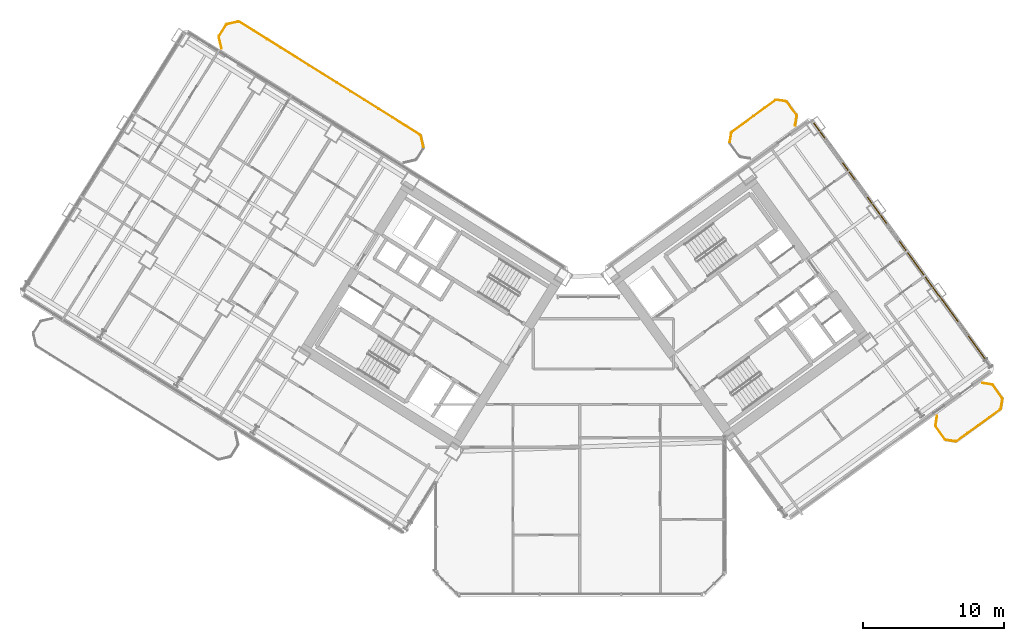
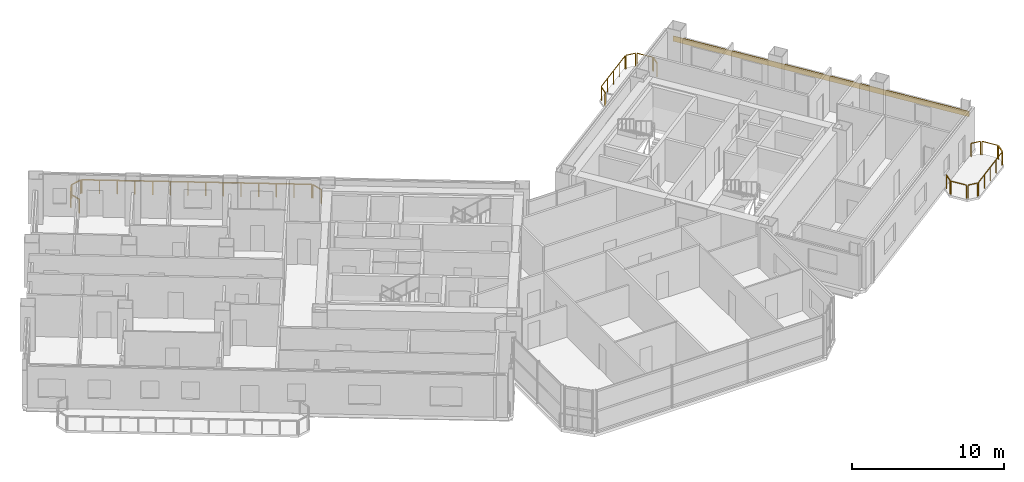
# One storey, part 28 of 28: 17 railings, 1 covering.
"""IFC4 building model written with IfcOpenShell, lengths in metres."""

from ifc_helpers import new_model, si_unit, direction, frame, origin, origin_2d, place, context, subcontext, project, spatial, rectangle, extrude, source, transform, mapped, material, layer, layer_set, type_object, element, save


model = new_model("IFC4")

# Units and contexts
model_context = context("Model", 3, precision=1e-05, world=origin(), true_north=direction((0.0, 1.0)))
body_context = subcontext(model_context, "Body", "Model", "MODEL_VIEW")
ifc_project = project(units=[si_unit("LENGTHUNIT", "METRE"), si_unit("AREAUNIT", "SQUARE_METRE"), si_unit("VOLUMEUNIT", "CUBIC_METRE"), si_unit("PLANEANGLEUNIT", "RADIAN"), si_unit("MASSUNIT", "GRAM", prefix="KILO")], contexts=[model_context])

# Site, building, storey
site_placement = place(None, origin())
site = spatial("IfcSite", under=ifc_project, at=site_placement, CompositionType="ELEMENT")
building_placement = place(site_placement, origin())
building = spatial("IfcBuilding", under=site, at=building_placement, Name="Tlacorven Tower", CompositionType="ELEMENT")
storey_placement = place(building_placement, frame((0.0, 0.0, 49.199951171875)))
storey = spatial("IfcBuildingStorey", under=building, at=storey_placement, Name="L12", CompositionType="ELEMENT", Elevation=49.199951171875)

# Railings
ifc_material_1 = material(Name="Aluminium and painted steel balustrade", Category="steel")
railing_type = type_object("IfcRailingType", Name="RL-BAL-1100", PredefinedType="BALUSTRADE", material=ifc_material_1)
shared_shape_1 = source(origin(), body_context, "Body", "SweptSolid", [
    extrude(rectangle(XDim=0.048095703125, YDim=0.048095703125, at=origin_2d()), frame((0.0, 0.0, 1.076171875), z_axis=(0.225058334816, -0.974345290916, 0.0), x_axis=(0.974345290916, 0.225058334816, 0.0)), (0.0, 0.0, 1.0), 0.80712890625),
    extrude(rectangle(XDim=0.0419921875, YDim=0.0419921875, at=origin_2d()), origin(), (0.0, 0.0, 1.0), 1.052001953125),
    extrude(rectangle(XDim=0.0419921875, YDim=0.0419921875, at=origin_2d()), frame((0.181640625, -0.786376953125, 0.0)), (0.0, 0.0, 1.0), 1.052001953125),
])
railing_1_placement = place(storey_placement, frame((30.6796875, 34.466064453125, 0.0)))
element("IfcRailing", 1, at=railing_1_placement, inside=storey, type_object=railing_type, Name="BAL-L12-W-IN Guard Railing 1", PredefinedType="BALUSTRADE", context=body_context, shape_type="MappedRepresentation", body=[
    mapped(shared_shape_1, transform((0.0, 0.0, 0.0), scale=1.0)),
])
shared_shape_2 = source(origin(), body_context, "Body", "SweptSolid", [
    extrude(rectangle(XDim=0.048095703125, YDim=0.048095703125, at=origin_2d()), frame((0.0, 0.0, 1.076171875), z_axis=(-0.225058334816, 0.974345290916, 0.0), x_axis=(-0.974345290916, -0.225058334816, 0.0)), (0.0, 0.0, 1.0), 0.80712890625),
    extrude(rectangle(XDim=0.0419921875, YDim=0.0419921875, at=origin_2d()), origin(), (0.0, 0.0, 1.0), 1.052001953125),
    extrude(rectangle(XDim=0.0419921875, YDim=0.0419921875, at=origin_2d()), frame((-0.181640625, 0.786376953125, 0.0)), (0.0, 0.0, 1.0), 1.052001953125),
])
railing_2_placement = place(storey_placement, frame((16.5361328125, 40.68115234375, 0.0)))
element("IfcRailing", 2, at=railing_2_placement, inside=storey, type_object=railing_type, Name="BAL-L12-W-IN Guard Railing 4", PredefinedType="BALUSTRADE", context=body_context, shape_type="MappedRepresentation", body=[
    mapped(shared_shape_2, transform((0.0, 0.0, 0.0), scale=1.0)),
])
shared_shape_3 = source(origin(), body_context, "Body", "SweptSolid", [
    extrude(rectangle(XDim=0.048095703125, YDim=0.048095703125, at=origin_2d()), frame((0.0, 0.0, 1.076171875), z_axis=(0.52987865805, 0.848073468364, 0.0), x_axis=(-0.848073468364, 0.52987865805, 0.0)), (0.0, 0.0, 1.0), 0.912353515625),
    extrude(rectangle(XDim=0.0419921875, YDim=0.0419921875, at=origin_2d()), origin(), (0.0, 0.0, 1.0), 1.052001953125),
    extrude(rectangle(XDim=0.0419921875, YDim=0.0419921875, at=origin_2d()), frame((0.4833984375, 0.773681640625, 0.0)), (0.0, 0.0, 1.0), 1.052001953125),
])
railing_3_placement = place(storey_placement, frame((16.369873046875, 41.55859375, 0.0)))
element("IfcRailing", 3, at=railing_3_placement, inside=storey, type_object=railing_type, Name="BAL-L12-W-IN Guard Railing 5", PredefinedType="BALUSTRADE", context=body_context, shape_type="MappedRepresentation", body=[
    mapped(shared_shape_3, transform((0.0, 0.0, 0.0), scale=1.0)),
])
shared_shape_4 = source(origin(), body_context, "Body", "SweptSolid", [
    extrude(rectangle(XDim=0.048095703125, YDim=0.048095703125, at=origin_2d()), frame((0.0, 0.0, 1.076171875), z_axis=(0.974411586182, 0.224771129628, 0.0), x_axis=(-0.224771129628, 0.974411586182, 0.0)), (0.0, 0.0, 1.0), 0.80712890625),
    extrude(rectangle(XDim=0.0419921875, YDim=0.0419921875, at=origin_2d()), origin(), (0.0, 0.0, 1.0), 1.052001953125),
    extrude(rectangle(XDim=0.0419921875, YDim=0.0419921875, at=origin_2d()), frame((0.786376953125, 0.181396484375, 0.0)), (0.0, 0.0, 1.0), 1.052001953125),
])
railing_4_placement = place(storey_placement, frame((16.928466796875, 42.385986328125, 0.0)))
element("IfcRailing", 4, at=railing_4_placement, inside=storey, type_object=railing_type, Name="BAL-L12-W-IN Guard Railing 6", PredefinedType="BALUSTRADE", context=body_context, shape_type="MappedRepresentation", body=[
    mapped(shared_shape_4, transform((0.0, 0.0, 0.0), scale=1.0)),
])
shared_shape_5 = source(origin(), body_context, "Body", "SweptSolid", [
    extrude(rectangle(XDim=0.048095703125, YDim=0.048095703125, at=origin_2d()), frame((0.0, 0.0, 1.076171875), z_axis=(0.848044572804, -0.529924902733, 0.0), x_axis=(0.529924902733, 0.848044572804, 0.0)), (0.0, 0.0, 1.0), 15.1171875),
    extrude(rectangle(XDim=0.0419921875, YDim=0.0419921875, at=origin_2d()), origin(), (0.0, 0.0, 1.0), 1.052001953125),
    extrude(rectangle(XDim=0.0419921875, YDim=0.0419921875, at=origin_2d()), frame((0.986083984375, -0.6162109375, 0.0)), (0.0, 0.0, 1.0), 1.052001953125),
    extrude(rectangle(XDim=0.0419921875, YDim=0.0419921875, at=origin_2d()), frame((1.972412109375, -1.232421875, 0.0)), (0.0, 0.0, 1.0), 1.052001953125),
    extrude(rectangle(XDim=0.0419921875, YDim=0.0419921875, at=origin_2d()), frame((2.95849609375, -1.8486328125, 0.0)), (0.0, 0.0, 1.0), 1.052001953125),
    extrude(rectangle(XDim=0.0419921875, YDim=0.0419921875, at=origin_2d()), frame((3.944580078125, -2.46484375, 0.0)), (0.0, 0.0, 1.0), 1.052001953125),
    extrude(rectangle(XDim=0.0419921875, YDim=0.0419921875, at=origin_2d()), frame((4.930908203125, -3.0810546875, 0.0)), (0.0, 0.0, 1.0), 1.052001953125),
    extrude(rectangle(XDim=0.0419921875, YDim=0.0419921875, at=origin_2d()), frame((5.9169921875, -3.697265625, 0.0)), (0.0, 0.0, 1.0), 1.052001953125),
    extrude(rectangle(XDim=0.0419921875, YDim=0.0419921875, at=origin_2d()), frame((6.903076171875, -4.313720703125, 0.0)), (0.0, 0.0, 1.0), 1.052001953125),
    extrude(rectangle(XDim=0.0419921875, YDim=0.0419921875, at=origin_2d()), frame((7.88916015625, -4.929931640625, 0.0)), (0.0, 0.0, 1.0), 1.052001953125),
    extrude(rectangle(XDim=0.0419921875, YDim=0.0419921875, at=origin_2d()), frame((8.87548828125, -5.546142578125, 0.0)), (0.0, 0.0, 1.0), 1.052001953125),
    extrude(rectangle(XDim=0.0419921875, YDim=0.0419921875, at=origin_2d()), frame((9.861572265625, -6.162353515625, 0.0)), (0.0, 0.0, 1.0), 1.052001953125),
    extrude(rectangle(XDim=0.0419921875, YDim=0.0419921875, at=origin_2d()), frame((10.84765625, -6.778564453125, 0.0)), (0.0, 0.0, 1.0), 1.052001953125),
    extrude(rectangle(XDim=0.0419921875, YDim=0.0419921875, at=origin_2d()), frame((11.833984375, -7.394775390625, 0.0)), (0.0, 0.0, 1.0), 1.052001953125),
    extrude(rectangle(XDim=0.0419921875, YDim=0.0419921875, at=origin_2d()), frame((12.820068359375, -8.010986328125, 0.0)), (0.0, 0.0, 1.0), 1.052001953125),
])
railing_5_placement = place(storey_placement, frame((17.805908203125, 42.55224609375, 0.0)))
element("IfcRailing", 5, at=railing_5_placement, inside=storey, type_object=railing_type, Name="BAL-L12-W-IN Guard Railing 7", PredefinedType="BALUSTRADE", context=body_context, shape_type="MappedRepresentation", body=[
    mapped(shared_shape_5, transform((0.0, 0.0, 0.0), scale=1.0)),
])
shared_shape_6 = source(origin(), body_context, "Body", "SweptSolid", [
    extrude(rectangle(XDim=0.048095703125, YDim=0.048095703125, at=origin_2d()), frame((0.0, 0.0, 1.076171875), z_axis=(-0.987661653326, 0.156602868908, 0.0), x_axis=(-0.156602868908, -0.987661653326, 0.0)), (0.0, 0.0, 1.0), 0.665771484375),
    extrude(rectangle(XDim=0.0419921875, YDim=0.0419921875, at=origin_2d()), origin(), (0.0, 0.0, 1.0), 1.052001953125),
    extrude(rectangle(XDim=0.0419921875, YDim=0.0419921875, at=origin_2d()), frame((-0.657470703125, 0.104248046875, 0.0)), (0.0, 0.0, 1.0), 1.052001953125),
])
railing_6_placement = place(storey_placement, frame((68.59521484375, 12.7919921875, 0.0)))
element("IfcRailing", 6, at=railing_6_placement, inside=storey, type_object=railing_type, Name="BAL-L12-E-OUT Guard Railing 1", PredefinedType="BALUSTRADE", context=body_context, shape_type="MappedRepresentation", body=[
    mapped(shared_shape_6, transform((0.0, 0.0, 0.0), scale=1.0)),
])
shared_shape_7 = source(origin(), body_context, "Body", "SweptSolid", [
    extrude(rectangle(XDim=0.048095703125, YDim=0.048095703125, at=origin_2d()), frame((0.0, 0.0, 1.076171875), z_axis=(-0.58788449985, 0.808944877501, 0.0), x_axis=(-0.808944877501, -0.58788449985, 0.0)), (0.0, 0.0, 1.0), 1.112060546875),
    extrude(rectangle(XDim=0.0419921875, YDim=0.0419921875, at=origin_2d()), origin(), (0.0, 0.0, 1.0), 1.052001953125),
    extrude(rectangle(XDim=0.0419921875, YDim=0.0419921875, at=origin_2d()), frame((-0.65380859375, 0.899658203125, 0.0)), (0.0, 0.0, 1.0), 1.052001953125),
])
railing_7_placement = place(storey_placement, frame((67.85888671875, 12.944580078125, 0.0)))
element("IfcRailing", 7, at=railing_7_placement, inside=storey, type_object=railing_type, Name="BAL-L12-E-OUT Guard Railing 2", PredefinedType="BALUSTRADE", context=body_context, shape_type="MappedRepresentation", body=[
    mapped(shared_shape_7, transform((0.0, 0.0, 0.0), scale=1.0)),
])
shared_shape_8 = source(origin(), body_context, "Body", "SweptSolid", [
    extrude(rectangle(XDim=0.048095703125, YDim=0.048095703125, at=origin_2d()), frame((0.0, 0.0, 1.076171875), z_axis=(0.156602868908, 0.987661653326, 0.0), x_axis=(-0.987661653326, 0.156602868908, 0.0)), (0.0, 0.0, 1.0), 0.665771484375),
    extrude(rectangle(XDim=0.0419921875, YDim=0.0419921875, at=origin_2d()), origin(), (0.0, 0.0, 1.0), 1.052001953125),
    extrude(rectangle(XDim=0.0419921875, YDim=0.0419921875, at=origin_2d()), frame((0.104248046875, 0.657470703125, 0.0)), (0.0, 0.0, 1.0), 1.052001953125),
])
railing_8_placement = place(storey_placement, frame((67.18359375, 13.93408203125, 0.0)))
element("IfcRailing", 8, at=railing_8_placement, inside=storey, type_object=railing_type, Name="BAL-L12-E-OUT Guard Railing 3", PredefinedType="BALUSTRADE", context=body_context, shape_type="MappedRepresentation", body=[
    mapped(shared_shape_8, transform((0.0, 0.0, 0.0), scale=1.0)),
])
shared_shape_9 = source(origin(), body_context, "Body", "SweptSolid", [
    extrude(rectangle(XDim=0.048095703125, YDim=0.048095703125, at=origin_2d()), frame((0.0, 0.0, 1.076171875), z_axis=(0.987718317463, -0.156245081039, 0.0), x_axis=(0.156245081039, 0.987718317463, 0.0)), (0.0, 0.0, 1.0), 0.66552734375),
    extrude(rectangle(XDim=0.0419921875, YDim=0.0419921875, at=origin_2d()), origin(), (0.0, 0.0, 1.0), 1.052001953125),
    extrude(rectangle(XDim=0.0419921875, YDim=0.0419921875, at=origin_2d()), frame((0.657470703125, -0.10400390625, 0.0)), (0.0, 0.0, 1.0), 1.052001953125),
])
railing_9_placement = place(storey_placement, frame((70.513916015625, 16.935546875, 0.0)))
element("IfcRailing", 9, at=railing_9_placement, inside=storey, type_object=railing_type, Name="BAL-L12-E-OUT Guard Railing 4", PredefinedType="BALUSTRADE", context=body_context, shape_type="MappedRepresentation", body=[
    mapped(shared_shape_9, transform((0.0, 0.0, 0.0), scale=1.0)),
])
shared_shape_10 = source(origin(), body_context, "Body", "SweptSolid", [
    extrude(rectangle(XDim=0.048095703125, YDim=0.048095703125, at=origin_2d()), frame((0.0, 0.0, 1.076171875), z_axis=(0.58788449985, -0.808944877501, 0.0), x_axis=(0.808944877501, 0.58788449985, 0.0)), (0.0, 0.0, 1.0), 1.112060546875),
    extrude(rectangle(XDim=0.0419921875, YDim=0.0419921875, at=origin_2d()), origin(), (0.0, 0.0, 1.0), 1.052001953125),
    extrude(rectangle(XDim=0.0419921875, YDim=0.0419921875, at=origin_2d()), frame((0.65380859375, -0.899658203125, 0.0)), (0.0, 0.0, 1.0), 1.052001953125),
])
for number, where, name in (
    (10, (71.250244140625, 16.783203125, 0.0), "BAL-L12-E-OUT Guard Railing 5"),
    (11, (56.658447265625, 36.866943359375, 0.0), "BAL-L12-E-IN Guard Railing 6"),
):
    element("IfcRailing", number, at=place(storey_placement, frame(where)), inside=storey, type_object=railing_type, Name=name, PredefinedType="BALUSTRADE", context=body_context, shape_type="MappedRepresentation", body=[
        mapped(shared_shape_10, transform((0.0, 0.0, 0.0), scale=1.0)),
    ])
shared_shape_11 = source(origin(), body_context, "Body", "SweptSolid", [
    extrude(rectangle(XDim=0.048095703125, YDim=0.048095703125, at=origin_2d()), frame((0.0, 0.0, 1.076171875), z_axis=(-0.156188498702, -0.987727266442, 0.0), x_axis=(0.987727266442, -0.156188498702, 0.0)), (0.0, 0.0, 1.0), 0.665771484375),
    extrude(rectangle(XDim=0.0419921875, YDim=0.0419921875, at=origin_2d()), origin(), (0.0, 0.0, 1.0), 1.052001953125),
    extrude(rectangle(XDim=0.0419921875, YDim=0.0419921875, at=origin_2d()), frame((-0.10400390625, -0.65771484375, 0.0)), (0.0, 0.0, 1.0), 1.052001953125),
])
railing_10_placement = place(storey_placement, frame((71.925537109375, 15.793701171875, 0.0)))
element("IfcRailing", 12, at=railing_10_placement, inside=storey, type_object=railing_type, Name="BAL-L12-E-OUT Guard Railing 6", PredefinedType="BALUSTRADE", context=body_context, shape_type="MappedRepresentation", body=[
    mapped(shared_shape_11, transform((0.0, 0.0, 0.0), scale=1.0)),
])
shared_shape_12 = source(origin(), body_context, "Body", "SweptSolid", [
    extrude(rectangle(XDim=0.048095703125, YDim=0.048095703125, at=origin_2d()), frame((0.0, 0.0, 1.076171875), z_axis=(-0.809018102573, -0.587783726986, 0.0), x_axis=(0.587783726986, -0.809018102573, 0.0)), (0.0, 0.0, 1.0), 3.817138671875),
    extrude(rectangle(XDim=0.0419921875, YDim=0.0419921875, at=origin_2d()), origin(), (0.0, 0.0, 1.0), 1.052001953125),
    extrude(rectangle(XDim=0.0419921875, YDim=0.0419921875, at=origin_2d()), frame((-0.77197265625, -0.56103515625, 0.0)), (0.0, 0.0, 1.0), 1.052001953125),
    extrude(rectangle(XDim=0.0419921875, YDim=0.0419921875, at=origin_2d()), frame((-1.5439453125, -1.121826171875, 0.0)), (0.0, 0.0, 1.0), 1.052001953125),
    extrude(rectangle(XDim=0.0419921875, YDim=0.0419921875, at=origin_2d()), frame((-2.316162109375, -1.6826171875, 0.0)), (0.0, 0.0, 1.0), 1.052001953125),
    extrude(rectangle(XDim=0.0419921875, YDim=0.0419921875, at=origin_2d()), frame((-3.088134765625, -2.24365234375, 0.0)), (0.0, 0.0, 1.0), 1.052001953125),
])
railing_11_placement = place(storey_placement, frame((71.773193359375, 15.057373046875, 0.0)))
element("IfcRailing", 13, at=railing_11_placement, inside=storey, type_object=railing_type, Name="BAL-L12-E-OUT Guard Railing 7", PredefinedType="BALUSTRADE", context=body_context, shape_type="MappedRepresentation", body=[
    mapped(shared_shape_12, transform((0.0, 0.0, 0.0), scale=1.0)),
])
shared_shape_13 = source(origin(), body_context, "Body", "SweptSolid", [
    extrude(rectangle(XDim=0.048095703125, YDim=0.048095703125, at=origin_2d()), frame((0.0, 0.0, 1.076171875), z_axis=(0.156546163506, 0.987670642822, 0.0), x_axis=(-0.987670642822, 0.156546163506, 0.0)), (0.0, 0.0, 1.0), 0.666015625),
    extrude(rectangle(XDim=0.0419921875, YDim=0.0419921875, at=origin_2d()), origin(), (0.0, 0.0, 1.0), 1.052001953125),
    extrude(rectangle(XDim=0.0419921875, YDim=0.0419921875, at=origin_2d()), frame((0.104248046875, 0.65771484375, 0.0)), (0.0, 0.0, 1.0), 1.052001953125),
])
railing_12_placement = place(storey_placement, frame((52.591796875, 34.017822265625, 0.0)))
element("IfcRailing", 14, at=railing_12_placement, inside=storey, type_object=railing_type, Name="BAL-L12-E-IN Guard Railing 3", PredefinedType="BALUSTRADE", context=body_context, shape_type="MappedRepresentation", body=[
    mapped(shared_shape_13, transform((0.0, 0.0, 0.0), scale=1.0)),
])
shared_shape_14 = source(origin(), body_context, "Body", "SweptSolid", [
    extrude(rectangle(XDim=0.048095703125, YDim=0.048095703125, at=origin_2d()), frame((0.0, 0.0, 1.076171875), z_axis=(0.809040198054, 0.587753313843, 0.0), x_axis=(-0.587753313843, 0.809040198054, 0.0)), (0.0, 0.0, 1.0), 3.8173828125),
    extrude(rectangle(XDim=0.0419921875, YDim=0.0419921875, at=origin_2d()), origin(), (0.0, 0.0, 1.0), 1.052001953125),
    extrude(rectangle(XDim=0.0419921875, YDim=0.0419921875, at=origin_2d()), frame((0.77197265625, 0.56103515625, 0.0)), (0.0, 0.0, 1.0), 1.052001953125),
    extrude(rectangle(XDim=0.0419921875, YDim=0.0419921875, at=origin_2d()), frame((1.544189453125, 1.121826171875, 0.0)), (0.0, 0.0, 1.0), 1.052001953125),
    extrude(rectangle(XDim=0.0419921875, YDim=0.0419921875, at=origin_2d()), frame((2.31640625, 1.6826171875, 0.0)), (0.0, 0.0, 1.0), 1.052001953125),
    extrude(rectangle(XDim=0.0419921875, YDim=0.0419921875, at=origin_2d()), frame((3.08837890625, 2.24365234375, 0.0)), (0.0, 0.0, 1.0), 1.052001953125),
])
railing_13_placement = place(storey_placement, frame((52.744140625, 34.754150390625, 0.0)))
element("IfcRailing", 15, at=railing_13_placement, inside=storey, type_object=railing_type, Name="BAL-L12-E-IN Guard Railing 4", PredefinedType="BALUSTRADE", context=body_context, shape_type="MappedRepresentation", body=[
    mapped(shared_shape_14, transform((0.0, 0.0, 0.0), scale=1.0)),
])
shared_shape_15 = source(origin(), body_context, "Body", "SweptSolid", [
    extrude(rectangle(XDim=0.048095703125, YDim=0.048095703125, at=origin_2d()), frame((0.0, 0.0, 1.076171875), z_axis=(0.987670642822, -0.156546163506, 0.0), x_axis=(0.156546163506, 0.987670642822, 0.0)), (0.0, 0.0, 1.0), 0.666015625),
    extrude(rectangle(XDim=0.0419921875, YDim=0.0419921875, at=origin_2d()), origin(), (0.0, 0.0, 1.0), 1.052001953125),
    extrude(rectangle(XDim=0.0419921875, YDim=0.0419921875, at=origin_2d()), frame((0.65771484375, -0.104248046875, 0.0)), (0.0, 0.0, 1.0), 1.052001953125),
])
railing_14_placement = place(storey_placement, frame((55.922119140625, 37.01953125, 0.0)))
element("IfcRailing", 16, at=railing_14_placement, inside=storey, type_object=railing_type, Name="BAL-L12-E-IN Guard Railing 5", PredefinedType="BALUSTRADE", context=body_context, shape_type="MappedRepresentation", body=[
    mapped(shared_shape_15, transform((0.0, 0.0, 0.0), scale=1.0)),
])
shared_shape_16 = source(origin(), body_context, "Body", "SweptSolid", [
    extrude(rectangle(XDim=0.048095703125, YDim=0.048095703125, at=origin_2d()), frame((0.0, 0.0, 1.076171875), z_axis=(-0.156245081039, -0.987718317463, 0.0), x_axis=(0.987718317463, -0.156245081039, 0.0)), (0.0, 0.0, 1.0), 0.66552734375),
    extrude(rectangle(XDim=0.0419921875, YDim=0.0419921875, at=origin_2d()), origin(), (0.0, 0.0, 1.0), 1.052001953125),
    extrude(rectangle(XDim=0.0419921875, YDim=0.0419921875, at=origin_2d()), frame((-0.10400390625, -0.657470703125, 0.0)), (0.0, 0.0, 1.0), 1.052001953125),
])
railing_15_placement = place(storey_placement, frame((57.333740234375, 35.87744140625, 0.0)))
element("IfcRailing", 17, at=railing_15_placement, inside=storey, type_object=railing_type, Name="BAL-L12-E-IN Guard Railing 7", PredefinedType="BALUSTRADE", context=body_context, shape_type="MappedRepresentation", body=[
    mapped(shared_shape_16, transform((0.0, 0.0, 0.0), scale=1.0)),
])

# Covering
ifc_material_2 = material(Name="Precast concrete C45/55", Category="concrete")
ifc_layer = layer(ifc_material_2, 0.06005859375)
ifc_layer_set = layer_set([ifc_layer], Name="Precast concrete C45/55")
covering_type = type_object("IfcCoveringType", Name="CV-CLD-TERC", PredefinedType="CLADDING", material=ifc_layer_set)
shared_shape_17 = source(origin(), body_context, "Body", "SweptSolid", [
    extrude(rectangle(XDim=21.287353515625, YDim=0.06005859375, at=origin_2d()), origin(), (0.0, 0.0, 1.0), 0.419921875),
])
covering_placement = place(storey_placement, frame((64.799072265625, 26.75146484375, 2.30517578125), z_axis=(0.0, 0.0, 1.0), x_axis=(0.587785363163, -0.809016913823, 0.0)))
element("IfcCovering", 18, at=covering_placement, inside=storey, type_object=covering_type, Name="L12 Masonry-Frame Spandrel Cladding 5", PredefinedType="CLADDING", context=body_context, shape_type="MappedRepresentation", body=[
    mapped(shared_shape_17, transform((0.0, 0.0, 0.0), scale=1.0)),
])

save(model, "model.ifc")
